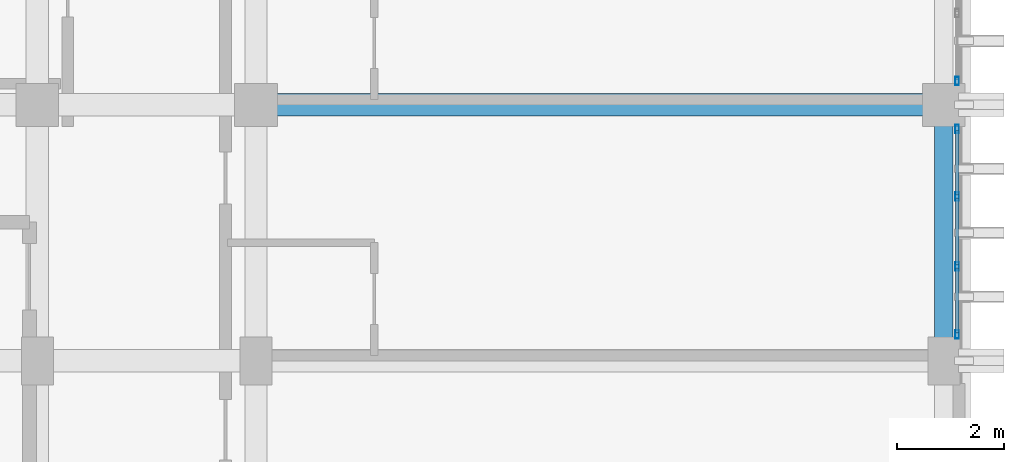
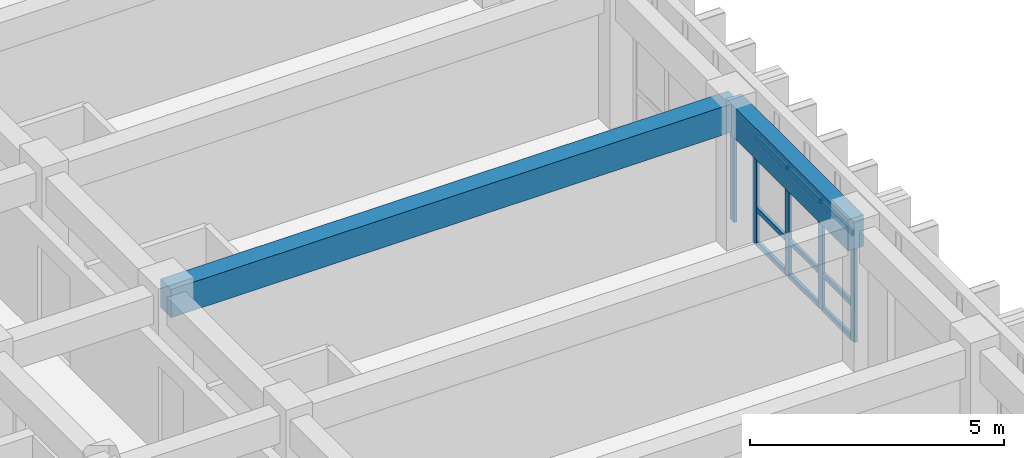
# One storey, part 41 of 82: 14 members, 2 beams, 2 elements without a shape of their own.
"""IFC4 building model written with IfcOpenShell, lengths in metres."""

import ifcopenshell
import ifcopenshell.guid

model = None  # the IFC model being written
_history = None  # IfcOwnerHistory: only IFC2X3 demands one
_inside = {}  # id of a spatial element -> (the spatial element, [elements in it])
_under = {}  # id of a project, library or spatial element -> (it, [spatial elements below it])
_declared = {}  # id of a project -> (the project, [libraries it declares])
_typed = {}  # id of a type object -> (the type object, [elements of that type])
_made_of = {}  # id of a material, layer set ... -> (it, [elements and type objects made of it])


def new_model(schema):
    """Start an empty IFC model of exactly this schema.

    Asked for "IFC4X3", IfcOpenShell would pick the latest addendum, in which some entities
    have other attributes; the version numbers below select the first issue.
    IFC2X3 requires an IfcOwnerHistory on every rooted entity: one is made here for all.
    """
    global model, _history
    if schema == "IFC4X3":
        model = ifcopenshell.file(schema_version=(4, 3, 0, 0))
    else:
        model = ifcopenshell.file(schema=schema)
    _inside.clear()
    _under.clear()
    _declared.clear()
    _typed.clear()
    _made_of.clear()
    _history = None
    if model.schema == "IFC2X3":
        org = make("IfcOrganization", Name="unknown")
        user = make(
            "IfcPersonAndOrganization",
            ThePerson=make("IfcPerson", FamilyName="unknown"),
            TheOrganization=org,
        )
        app = make(
            "IfcApplication",
            ApplicationDeveloper=org,
            Version="unknown",
            ApplicationFullName="unknown",
            ApplicationIdentifier="unknown",
        )
        _history = make(
            "IfcOwnerHistory",
            OwningUser=user,
            OwningApplication=app,
            ChangeAction="ADDED",
            CreationDate=0,
        )
    return model


def make(cls, **values):
    """One entity of the class cls with the attributes given. An attribute that is None is left unset."""
    return model.create_entity(
        cls, **{name: value for name, value in values.items() if value is not None}
    )


def rooted(cls, **values):
    """An entity with a GlobalId (a new one), such as an element, a storey or a relation."""
    return make(cls, GlobalId=ifcopenshell.guid.new(), OwnerHistory=_history, **values)


def si_unit(unit_type, name, prefix=None):
    """IfcSIUnit, for example si_unit("LENGTHUNIT", "METRE", prefix="MILLI")."""
    return make("IfcSIUnit", UnitType=unit_type, Prefix=prefix, Name=name)


def assignment(units):
    """IfcUnitAssignment: the units of a project."""
    return None if units is None else make("IfcUnitAssignment", Units=units)


def point(xyz):
    """IfcCartesianPoint."""
    return None if xyz is None else make("IfcCartesianPoint", Coordinates=xyz)


def direction(xyz):
    """IfcDirection."""
    return None if xyz is None else make("IfcDirection", DirectionRatios=xyz)


def frame(location, z_axis=None, x_axis=None):
    """IfcAxis2Placement3D, a coordinate frame: its origin and axes. An axis left out is left unset."""
    return make(
        "IfcAxis2Placement3D",
        Location=point(location),
        Axis=direction(z_axis),
        RefDirection=direction(x_axis),
    )


def frame_2d(location, x_axis=None):
    """IfcAxis2Placement2D, a coordinate frame in the plane: its origin and x axis."""
    return make(
        "IfcAxis2Placement2D", Location=point(location), RefDirection=direction(x_axis)
    )


def origin():
    """The frame at (0, 0, 0) with its axes left unset."""
    return frame((0.0, 0.0, 0.0))


def origin_2d():
    """The frame at (0, 0) in the plane with its x axis left unset."""
    return frame_2d((0.0, 0.0))


def place(relative_to, where):
    """IfcLocalPlacement: puts the frame where relative to a parent placement (None: the world)."""
    return make(
        "IfcLocalPlacement", PlacementRelTo=relative_to, RelativePlacement=where
    )


def context(
    kind, dimensions, precision=None, world=None, true_north=None, identifier=None
):
    """IfcGeometricRepresentationContext, for example the 3D "Model" context."""
    return make(
        "IfcGeometricRepresentationContext",
        ContextIdentifier=identifier,
        ContextType=kind,
        CoordinateSpaceDimension=dimensions,
        Precision=precision,
        WorldCoordinateSystem=world,
        TrueNorth=true_north,
    )


def subcontext(parent, identifier, kind, view, scale=None):
    """IfcGeometricRepresentationSubContext, for example "Body" below "Model"."""
    return make(
        "IfcGeometricRepresentationSubContext",
        ContextIdentifier=identifier,
        ContextType=kind,
        ParentContext=parent,
        TargetScale=scale,
        TargetView=view,
    )


def project(units=None, contexts=None):
    """IfcProject with its units and contexts."""
    return rooted(
        "IfcProject",
        Name="project",
        RepresentationContexts=contexts,
        UnitsInContext=assignment(units),
    )


def spatial(cls, under=None, at=None, **own):
    """A site, building, storey or space (cls), placed at a placement, below another one or the project."""
    s = rooted(cls, ObjectPlacement=at, **own)
    if under is not None:
        _under.setdefault(under.id(), (under, []))[1].append(s)
    return s


def profile(cls, at=None, kind="AREA", **sizes):
    """A parametric profile (cls). Its sizes go by their IFC names, for example OverallWidth=200.0."""
    return make(cls, ProfileType=kind, Position=at, **sizes)


def rectangle(**sizes):
    """IfcRectangleProfileDef."""
    return profile("IfcRectangleProfileDef", **sizes)


def hollow_rectangle(**sizes):
    """IfcRectangleHollowProfileDef."""
    return profile("IfcRectangleHollowProfileDef", **sizes)


def extrude(swept, where, along, depth):
    """IfcExtrudedAreaSolid: the profile swept, set in the frame where, extruded along a direction by depth."""
    return make(
        "IfcExtrudedAreaSolid",
        SweptArea=swept,
        Position=where,
        ExtrudedDirection=direction(along),
        Depth=depth,
    )


def shape(context_of_items, identifier, shape_type, items):
    """IfcShapeRepresentation: the items that make up one representation, for example the "Body"."""
    return make(
        "IfcShapeRepresentation",
        ContextOfItems=context_of_items,
        RepresentationIdentifier=identifier,
        RepresentationType=shape_type,
        Items=items,
    )


def material(Name=None, Category=None):
    """IfcMaterial."""
    return make("IfcMaterial", Name=Name, Category=Category)


def layer(
    of_material, thickness, ventilated=None, Name=None, Category=None, Priority=None
):
    """IfcMaterialLayer: one layer of a wall or slab, of a material (None: an air gap)."""
    return make(
        "IfcMaterialLayer",
        Material=of_material,
        LayerThickness=thickness,
        IsVentilated=ventilated,
        Name=Name,
        Category=Category,
        Priority=Priority,
    )


def layer_set(layers, Name=None):
    """IfcMaterialLayerSet."""
    return make("IfcMaterialLayerSet", MaterialLayers=layers, LayerSetName=Name)


def material_profile(
    of_material, cross_section, Name=None, Category=None, Priority=None
):
    """IfcMaterialProfile: a cross section and its material."""
    return make(
        "IfcMaterialProfile",
        Name=Name,
        Material=of_material,
        Profile=cross_section,
        Priority=Priority,
        Category=Category,
    )


def profile_set(profiles, Name=None, composite=None):
    """IfcMaterialProfileSet."""
    return make(
        "IfcMaterialProfileSet",
        Name=Name,
        MaterialProfiles=profiles,
        CompositeProfile=composite,
    )


def made_of(thing, what):
    """Note that an element or type object is made of a material, layer set ...; save() writes the relation."""
    if what is not None:
        _made_of.setdefault(what.id(), (what, []))[1].append(thing)
    return thing


def type_object(cls, material=None, **own):
    """A type object (cls), such as IfcWallType, which elements share."""
    return made_of(rooted(cls, **own), material)


def element(
    cls,
    number,
    at=None,
    inside=None,
    cuts=None,
    type_object=None,
    material=None,
    context=None,
    identifier="Body",
    shape_type=None,
    held_by="IfcProductDefinitionShape",
    body=None,
    shapes=None,
    **own,
):
    """One element of the class cls, such as IfcWall. Its Tag is "e" and its number.

    at: its placement. inside: the storey or other place that contains it. cuts: it is an
    opening in that element (IfcRelVoidsElement). A single representation is given by context,
    identifier, shape_type and body (its items); several are given by shapes. held_by: the class
    of the entity that holds the representations. save() writes the other relations.
    """
    e = rooted(cls, Tag="e%d" % number, ObjectPlacement=at, **own)
    if body is not None:
        shapes = [shape(context, identifier, shape_type, body)]
    if shapes is not None:
        e.Representation = make(held_by, Representations=shapes)
    if inside is not None:
        _inside.setdefault(inside.id(), (inside, []))[1].append(e)
    if cuts is not None:
        rooted(
            "IfcRelVoidsElement", RelatingBuildingElement=cuts, RelatedOpeningElement=e
        )
    if type_object is not None:
        _typed.setdefault(type_object.id(), (type_object, []))[1].append(e)
    return made_of(e, material)


def aggregate(whole, parts):
    """IfcRelAggregates: a whole, such as a stair, and the parts it consists of."""
    return rooted("IfcRelAggregates", RelatingObject=whole, RelatedObjects=parts)


def save(model, path):
    """Write the relations noted so far, then the file.

    IfcRelAggregates (storeys below a building ...), IfcRelContainedInSpatialStructure (elements
    in a storey), IfcRelDefinesByType, IfcRelAssociatesMaterial and IfcRelDeclares: one each for
    every whole, place, type object, material and project.
    """
    for whole, parts in _under.values():
        aggregate(whole, parts)
    for where, things in _inside.values():
        rooted(
            "IfcRelContainedInSpatialStructure",
            RelatedElements=things,
            RelatingStructure=where,
        )
    for kind, things in _typed.values():
        rooted("IfcRelDefinesByType", RelatedObjects=things, RelatingType=kind)
    for what, things in _made_of.values():
        rooted("IfcRelAssociatesMaterial", RelatedObjects=things, RelatingMaterial=what)
    for by, libraries in _declared.values():
        rooted("IfcRelDeclares", RelatingContext=by, RelatedDefinitions=libraries)
    model.write(path)


model = new_model("IFC4")

# Units and contexts
model_context = context("Model", 3, precision=1e-05, world=origin(), true_north=direction((0.0, 1.0)))
body_context = subcontext(model_context, "Body", "Model", "MODEL_VIEW")
ifc_project = project(units=[si_unit("LENGTHUNIT", "METRE"), si_unit("AREAUNIT", "SQUARE_METRE"), si_unit("VOLUMEUNIT", "CUBIC_METRE"), si_unit("PLANEANGLEUNIT", "RADIAN"), si_unit("MASSUNIT", "GRAM", prefix="KILO")], contexts=[model_context])

# Site, building, storey
site_placement = place(None, origin())
site = spatial("IfcSite", under=ifc_project, at=site_placement, CompositionType="ELEMENT")
building_placement = place(site_placement, origin())
building = spatial("IfcBuilding", under=site, at=building_placement, Name="Nakhvara Creek Congress Hotel", CompositionType="ELEMENT")
storey_placement = place(building_placement, frame((0.0, 0.0, 21.0)))
storey = spatial("IfcBuildingStorey", under=building, at=storey_placement, Name="L04", CompositionType="ELEMENT", Elevation=21.0)

# Beams
ifc_material_1 = material(Name="Concrete C40/50", Category="concrete")
ifc_material_profile_1 = material_profile(ifc_material_1, rectangle(XDim=0.419921875, YDim=0.679931640625, at=origin_2d()), Name="RC-BM 420x680", Category="LoadBearing")
ifc_profile_set_1 = profile_set([ifc_material_profile_1], Name="Concrete C40/50")
beam_type_1 = type_object("IfcBeamType", Name="BM-RC-420X680", PredefinedType="BEAM", material=ifc_profile_set_1)
beam_1_placement = place(storey_placement, frame((166.449951171875, 96.0, 3.0), z_axis=(1.0, 0.0, 0.0), x_axis=(0.0, 1.0, 0.0)))
element("IfcBeam", 1, at=beam_1_placement, inside=storey, type_object=beam_type_1, Name="Beam B11-L04-1996", PredefinedType="BEAM", context=body_context, shape_type="SweptSolid", body=[
    extrude(rectangle(XDim=0.419921875, YDim=0.679931640625, at=origin_2d()), origin(), (0.0, 0.0, 1.0), 12.900146484375),
])
ifc_material_profile_2 = material_profile(ifc_material_1, rectangle(XDim=0.35009765625, YDim=0.75, at=origin_2d()), Name="RC-SPANDREL 350x750", Category="LoadBearing")
ifc_profile_set_2 = profile_set([ifc_material_profile_2], Name="Concrete C40/50")
beam_type_2 = type_object("IfcBeamType", Name="BM-SPN-350X750", PredefinedType="SPANDREL", material=ifc_profile_set_2)
beam_2_placement = place(storey_placement, frame((179.35009765625, 91.199951171875, 2.965087890625), z_axis=(0.0, 1.0, 0.0), x_axis=(-1.0, 0.0, 0.0)))
element("IfcBeam", 2, at=beam_2_placement, inside=storey, type_object=beam_type_2, Name="Beam SP1-L04-2022", PredefinedType="SPANDREL", context=body_context, shape_type="SweptSolid", body=[
    extrude(rectangle(XDim=0.35009765625, YDim=0.75, at=origin_2d()), origin(), (0.0, 0.0, 1.0), 4.800048828125),
])

# Curtain wall, members
ifc_material_2 = material(Name="Bronze-anodised aluminium AW-6063-T6 and double-silver low-E glass", Category="aluminium")
ifc_layer = layer(ifc_material_2, 0.199951171875)
ifc_layer_set = layer_set([ifc_layer], Name="Bronze-anodised aluminium AW-6063-T6 and double-silver low-E glass")
curtain_wall_type = type_object("IfcCurtainWallType", Name="CW-HTL-UNIT", PredefinedType="USERDEFINED", material=ifc_layer_set)
curtain_wall_1_placement = place(storey_placement, origin())
curtain_wall_1 = element("IfcCurtainWall", 3, at=curtain_wall_1_placement, inside=storey, type_object=curtain_wall_type, Name="Curtain Wall CW192", ObjectType="UNITISED", PredefinedType="USERDEFINED")
ifc_material_3 = material(Name="Bronze-anodised aluminium AW-6063-T6", Category="aluminium")
ifc_material_profile_3 = material_profile(ifc_material_3, hollow_rectangle(XDim=0.06494140625, YDim=0.159912109375, WallThickness=0.00390625, at=origin_2d()), Name="ALU-MULL 65x160x4", Category="LoadBearing")
ifc_profile_set_3 = profile_set([ifc_material_profile_3], Name="Bronze-anodised aluminium AW-6063-T6")
member_type_1 = type_object("IfcMemberType", Name="CW-MULL-160", PredefinedType="MULLION", material=ifc_profile_set_3)
member_1_placement = place(storey_placement, frame((179.60009765625, 95.552490234375, 0.0), z_axis=(0.0, 0.0, 1.0), x_axis=(1.0, 0.0, 0.0)))
member_1 = element("IfcMember", 4, at=member_1_placement, type_object=member_type_1, Name="CW192 mullion 1", PredefinedType="MULLION", context=body_context, shape_type="SweptSolid", body=[
    extrude(hollow_rectangle(XDim=0.06494140625, YDim=0.159912109375, WallThickness=0.00390625, at=origin_2d()), origin(), (0.0, 0.0, 1.0), 2.58203125),
])
member_2_placement = place(storey_placement, frame((179.60009765625, 94.2783203125, 0.0), z_axis=(0.0, 0.0, 1.0), x_axis=(1.0, 0.0, 0.0)))
member_2 = element("IfcMember", 5, at=member_2_placement, type_object=member_type_1, Name="CW192 mullion 2", PredefinedType="MULLION", context=body_context, shape_type="SweptSolid", body=[
    extrude(hollow_rectangle(XDim=0.06494140625, YDim=0.159912109375, WallThickness=0.00390625, at=origin_2d()), origin(), (0.0, 0.0, 1.0), 2.58203125),
])
member_3_placement = place(storey_placement, frame((179.60009765625, 92.9716796875, 0.0), z_axis=(0.0, 0.0, 1.0), x_axis=(1.0, 0.0, 0.0)))
member_3 = element("IfcMember", 6, at=member_3_placement, type_object=member_type_1, Name="CW192 mullion 3", PredefinedType="MULLION", context=body_context, shape_type="SweptSolid", body=[
    extrude(hollow_rectangle(XDim=0.06494140625, YDim=0.159912109375, WallThickness=0.00390625, at=origin_2d()), origin(), (0.0, 0.0, 1.0), 2.58203125),
])
member_4_placement = place(storey_placement, frame((179.60009765625, 91.697509765625, 0.0), z_axis=(0.0, 0.0, 1.0), x_axis=(1.0, 0.0, 0.0)))
member_4 = element("IfcMember", 7, at=member_4_placement, type_object=member_type_1, Name="CW192 mullion 4", PredefinedType="MULLION", context=body_context, shape_type="SweptSolid", body=[
    extrude(hollow_rectangle(XDim=0.06494140625, YDim=0.159912109375, WallThickness=0.00390625, at=origin_2d()), origin(), (0.0, 0.0, 1.0), 2.58203125),
])

# Curtain wall, member
curtain_wall_2_placement = place(storey_placement, origin())
curtain_wall_2 = element("IfcCurtainWall", 8, at=curtain_wall_2_placement, inside=storey, type_object=curtain_wall_type, Name="Curtain Wall CW194", ObjectType="UNITISED", PredefinedType="USERDEFINED")
member_5_placement = place(storey_placement, frame((179.60009765625, 96.447509765625, 0.0), z_axis=(0.0, 0.0, 1.0), x_axis=(1.0, 0.0, 0.0)))
member_5 = element("IfcMember", 9, at=member_5_placement, type_object=member_type_1, Name="CW194 mullion 4", PredefinedType="MULLION", context=body_context, shape_type="SweptSolid", body=[
    extrude(hollow_rectangle(XDim=0.06494140625, YDim=0.159912109375, WallThickness=0.00390625, at=origin_2d()), origin(), (0.0, 0.0, 1.0), 2.58203125),
])
aggregate(curtain_wall_2, [member_5])

# Member
ifc_material_profile_4 = material_profile(ifc_material_3, hollow_rectangle(XDim=0.06494140625, YDim=0.1201171875, WallThickness=0.00390625, at=origin_2d()), Name="ALU-TRAN 65x120x4", Category="LoadBearing")
ifc_profile_set_4 = profile_set([ifc_material_profile_4], Name="Bronze-anodised aluminium AW-6063-T6")
member_type_2 = type_object("IfcMemberType", Name="CW-TRAN-120", PredefinedType="USERDEFINED", material=ifc_profile_set_4)
member_6_placement = place(storey_placement, frame((179.60009765625, 95.52001953125, 0.032470703125), z_axis=(0.0, -1.0, 0.0), x_axis=(1.0, 0.0, 0.0)))
member_6 = element("IfcMember", 10, at=member_6_placement, type_object=member_type_2, Name="CW192 transom 1.1", ObjectType="TRANSOM", PredefinedType="USERDEFINED", context=body_context, shape_type="SweptSolid", body=[
    extrude(hollow_rectangle(XDim=0.06494140625, YDim=0.1201171875, WallThickness=0.00390625, at=origin_2d()), origin(), (0.0, 0.0, 1.0), 1.209228515625),
])

member_7_placement = place(storey_placement, frame((179.60009765625, 95.52001953125, 0.85009765625), z_axis=(0.0, -1.0, 0.0), x_axis=(1.0, 0.0, 0.0)))
member_7 = element("IfcMember", 11, at=member_7_placement, type_object=member_type_2, Name="CW192 transom 1.2", ObjectType="TRANSOM", PredefinedType="USERDEFINED", context=body_context, shape_type="SweptSolid", body=[
    extrude(hollow_rectangle(XDim=0.06494140625, YDim=0.1201171875, WallThickness=0.00390625, at=origin_2d()), origin(), (0.0, 0.0, 1.0), 1.209228515625),
])

member_8_placement = place(storey_placement, frame((179.60009765625, 95.52001953125, 2.549560546875), z_axis=(0.0, -1.0, 0.0), x_axis=(1.0, 0.0, 0.0)))
member_8 = element("IfcMember", 12, at=member_8_placement, type_object=member_type_2, Name="CW192 transom 1.3", ObjectType="TRANSOM", PredefinedType="USERDEFINED", context=body_context, shape_type="SweptSolid", body=[
    extrude(hollow_rectangle(XDim=0.06494140625, YDim=0.1201171875, WallThickness=0.00390625, at=origin_2d()), origin(), (0.0, 0.0, 1.0), 1.209228515625),
])

member_9_placement = place(storey_placement, frame((179.60009765625, 94.245849609375, 0.032470703125), z_axis=(0.0, -1.0, 0.0), x_axis=(1.0, 0.0, 0.0)))
member_9 = element("IfcMember", 13, at=member_9_placement, type_object=member_type_2, Name="CW192 transom 2.1", ObjectType="TRANSOM", PredefinedType="USERDEFINED", context=body_context, shape_type="SweptSolid", body=[
    extrude(hollow_rectangle(XDim=0.06494140625, YDim=0.1201171875, WallThickness=0.00390625, at=origin_2d()), origin(), (0.0, 0.0, 1.0), 1.24169921875),
])

member_10_placement = place(storey_placement, frame((179.60009765625, 94.245849609375, 0.85009765625), z_axis=(0.0, -1.0, 0.0), x_axis=(1.0, 0.0, 0.0)))
member_10 = element("IfcMember", 14, at=member_10_placement, type_object=member_type_2, Name="CW192 transom 2.2", ObjectType="TRANSOM", PredefinedType="USERDEFINED", context=body_context, shape_type="SweptSolid", body=[
    extrude(hollow_rectangle(XDim=0.06494140625, YDim=0.1201171875, WallThickness=0.00390625, at=origin_2d()), origin(), (0.0, 0.0, 1.0), 1.24169921875),
])

member_11_placement = place(storey_placement, frame((179.60009765625, 94.245849609375, 2.549560546875), z_axis=(0.0, -1.0, 0.0), x_axis=(1.0, 0.0, 0.0)))
member_11 = element("IfcMember", 15, at=member_11_placement, type_object=member_type_2, Name="CW192 transom 2.3", ObjectType="TRANSOM", PredefinedType="USERDEFINED", context=body_context, shape_type="SweptSolid", body=[
    extrude(hollow_rectangle(XDim=0.06494140625, YDim=0.1201171875, WallThickness=0.00390625, at=origin_2d()), origin(), (0.0, 0.0, 1.0), 1.24169921875),
])

member_12_placement = place(storey_placement, frame((179.60009765625, 92.939208984375, 0.032470703125), z_axis=(0.0, -1.0, 0.0), x_axis=(1.0, 0.0, 0.0)))
member_12 = element("IfcMember", 16, at=member_12_placement, type_object=member_type_2, Name="CW192 transom 3.1", ObjectType="TRANSOM", PredefinedType="USERDEFINED", context=body_context, shape_type="SweptSolid", body=[
    extrude(hollow_rectangle(XDim=0.06494140625, YDim=0.1201171875, WallThickness=0.00390625, at=origin_2d()), origin(), (0.0, 0.0, 1.0), 1.209228515625),
])

member_13_placement = place(storey_placement, frame((179.60009765625, 92.939208984375, 0.85009765625), z_axis=(0.0, -1.0, 0.0), x_axis=(1.0, 0.0, 0.0)))
member_13 = element("IfcMember", 17, at=member_13_placement, type_object=member_type_2, Name="CW192 transom 3.2", ObjectType="TRANSOM", PredefinedType="USERDEFINED", context=body_context, shape_type="SweptSolid", body=[
    extrude(hollow_rectangle(XDim=0.06494140625, YDim=0.1201171875, WallThickness=0.00390625, at=origin_2d()), origin(), (0.0, 0.0, 1.0), 1.209228515625),
])

member_14_placement = place(storey_placement, frame((179.60009765625, 92.939208984375, 2.549560546875), z_axis=(0.0, -1.0, 0.0), x_axis=(1.0, 0.0, 0.0)))
member_14 = element("IfcMember", 18, at=member_14_placement, type_object=member_type_2, Name="CW192 transom 3.3", ObjectType="TRANSOM", PredefinedType="USERDEFINED", context=body_context, shape_type="SweptSolid", body=[
    extrude(hollow_rectangle(XDim=0.06494140625, YDim=0.1201171875, WallThickness=0.00390625, at=origin_2d()), origin(), (0.0, 0.0, 1.0), 1.209228515625),
])

aggregate(curtain_wall_1, [member_1, member_2, member_3, member_4, member_6, member_7, member_8, member_9, member_10, member_11, member_12, member_13, member_14])

save(model, "model.ifc")
